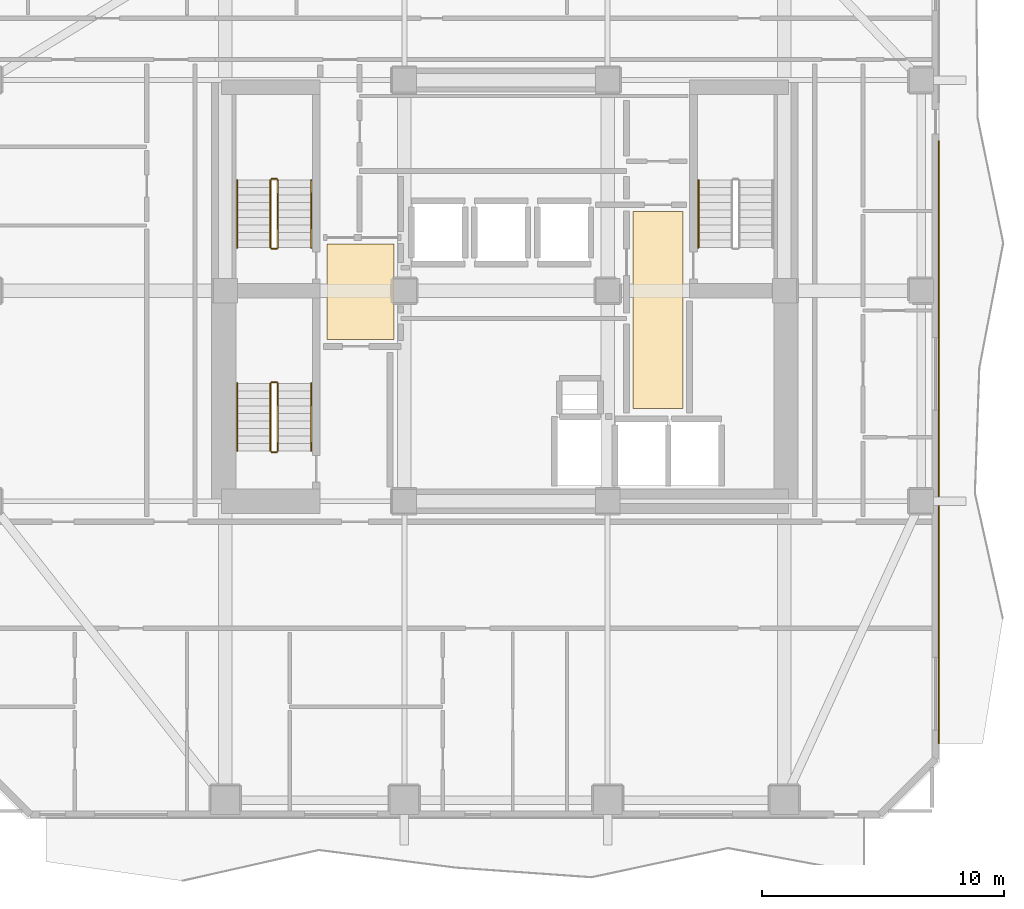
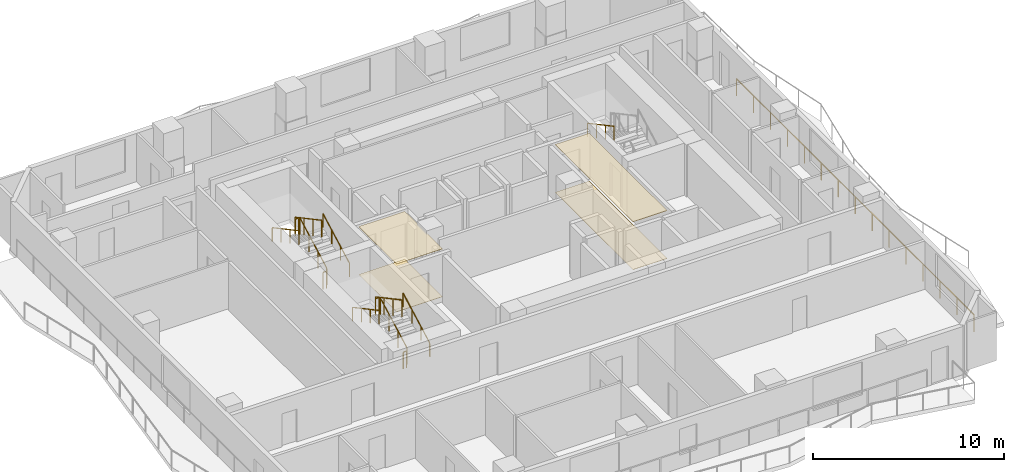
# One storey, part 8 of 10: 14 railings, 4 coverings.
"""IFC4 building model written with IfcOpenShell, lengths in metres."""

from ifc_helpers import new_model, si_unit, direction, frame, origin, origin_2d, place, context, subcontext, project, spatial, polyline, rectangle, outline, extrude, material, layer, layer_set, type_object, element, save


model = new_model("IFC4")

# Units and contexts
model_context = context("Model", 3, precision=1e-05, world=origin(), true_north=direction((0.0, 1.0)))
body_context = subcontext(model_context, "Body", "Model", "MODEL_VIEW")
ifc_project = project(units=[si_unit("LENGTHUNIT", "METRE"), si_unit("AREAUNIT", "SQUARE_METRE"), si_unit("VOLUMEUNIT", "CUBIC_METRE"), si_unit("PLANEANGLEUNIT", "RADIAN"), si_unit("MASSUNIT", "GRAM", prefix="KILO")], contexts=[model_context])

# Site, building, storey
site_placement = place(None, origin())
site = spatial("IfcSite", under=ifc_project, at=site_placement, CompositionType="ELEMENT")
building_placement = place(site_placement, origin())
building = spatial("IfcBuilding", under=site, at=building_placement, Name="Solanera Arch Residences", CompositionType="ELEMENT")
storey_placement = place(building_placement, frame((0.0, 0.0, 119.360107421875)))
storey = spatial("IfcBuildingStorey", under=building, at=storey_placement, Name="L34", CompositionType="ELEMENT", Elevation=119.360107421875)

# Railing
ifc_material_1 = material(Name="Steel S355 (ASTM A992 / A572 Grade 50)", Category="steel")
railing_type_1 = type_object("IfcRailingType", Name="Balustrade Railing BL-1100", PredefinedType="BALUSTRADE", material=ifc_material_1)
railing_1_placement = place(storey_placement, frame((42.8798828125, 36.8779296875, 0.0)))
element("IfcRailing", 1, at=railing_1_placement, inside=storey, type_object=railing_type_1, Name="L34 E Balcony Balustrade 2", PredefinedType="BALUSTRADE", context=body_context, shape_type="SweptSolid", body=[
    extrude(rectangle(XDim=0.048095703125, YDim=0.048095703125, at=origin_2d()), frame((0.0, 0.0, 1.09619140625), z_axis=(0.0, -1.0, 0.0), x_axis=(1.0, 0.0, 0.0)), (0.0, 0.0, 1.0), 24.8779296875),
    extrude(rectangle(XDim=0.0419921875, YDim=0.0419921875, at=origin_2d()), origin(), (0.0, 0.0, 1.0), 1.072021484375),
    extrude(rectangle(XDim=0.0419921875, YDim=0.0419921875, at=origin_2d()), frame((0.0, -1.777099609375, 0.0)), (0.0, 0.0, 1.0), 1.072021484375),
    extrude(rectangle(XDim=0.0419921875, YDim=0.0419921875, at=origin_2d()), frame((0.0, -3.553955078125, 0.0)), (0.0, 0.0, 1.0), 1.072021484375),
    extrude(rectangle(XDim=0.0419921875, YDim=0.0419921875, at=origin_2d()), frame((0.0, -5.3310546875, 0.0)), (0.0, 0.0, 1.0), 1.072021484375),
    extrude(rectangle(XDim=0.0419921875, YDim=0.0419921875, at=origin_2d()), frame((0.0, -7.10791015625, 0.0)), (0.0, 0.0, 1.0), 1.072021484375),
    extrude(rectangle(XDim=0.0419921875, YDim=0.0419921875, at=origin_2d()), frame((0.0, -8.885009765625, 0.0)), (0.0, 0.0, 1.0), 1.072021484375),
    extrude(rectangle(XDim=0.0419921875, YDim=0.0419921875, at=origin_2d()), frame((0.0, -10.661865234375, 0.0)), (0.0, 0.0, 1.0), 1.072021484375),
    extrude(rectangle(XDim=0.0419921875, YDim=0.0419921875, at=origin_2d()), frame((0.0, -12.43896484375, 0.0)), (0.0, 0.0, 1.0), 1.072021484375),
    extrude(rectangle(XDim=0.0419921875, YDim=0.0419921875, at=origin_2d()), frame((0.0, -14.216064453125, 0.0)), (0.0, 0.0, 1.0), 1.072021484375),
    extrude(rectangle(XDim=0.0419921875, YDim=0.0419921875, at=origin_2d()), frame((0.0, -15.992919921875, 0.0)), (0.0, 0.0, 1.0), 1.072021484375),
    extrude(rectangle(XDim=0.0419921875, YDim=0.0419921875, at=origin_2d()), frame((0.0, -17.77001953125, 0.0)), (0.0, 0.0, 1.0), 1.072021484375),
    extrude(rectangle(XDim=0.0419921875, YDim=0.0419921875, at=origin_2d()), frame((0.0, -19.546875, 0.0)), (0.0, 0.0, 1.0), 1.072021484375),
    extrude(rectangle(XDim=0.0419921875, YDim=0.0419921875, at=origin_2d()), frame((0.0, -21.323974609375, 0.0)), (0.0, 0.0, 1.0), 1.072021484375),
    extrude(rectangle(XDim=0.0419921875, YDim=0.0419921875, at=origin_2d()), frame((0.0, -23.100830078125, 0.0)), (0.0, 0.0, 1.0), 1.072021484375),
    extrude(rectangle(XDim=0.0419921875, YDim=0.0419921875, at=origin_2d()), frame((0.0, -24.8779296875, 0.0)), (0.0, 0.0, 1.0), 1.072021484375),
])

# Coverings
ifc_material_2 = material(Name="Porcelain Acoustic Floor Tile", Category="ceramic")
ifc_layer_1 = layer(ifc_material_2, 0.02001953125)
ifc_layer_set_1 = layer_set([ifc_layer_1], Name="Porcelain Acoustic Floor Tile")
covering_type_1 = type_object("IfcCoveringType", Name="Porcelain Acoustic Floor Finish FLR-20", PredefinedType="FLOORING", material=ifc_layer_set_1)
covering_1_placement = place(storey_placement, origin())
element("IfcCovering", 2, at=covering_1_placement, inside=storey, type_object=covering_type_1, Name="L34-FFL-W Porcelain Floor Finish", PredefinedType="FLOORING", context=body_context, shape_type="SweptSolid", body=[
    extrude(outline(polyline([(20.375, 28.675048828125), (17.594970703125, 28.675048828125), (17.594970703125, 32.625), (20.375, 32.625), (20.375, 28.675048828125)])), origin(), (0.0, 0.0, 1.0), 0.019775390625),
])
covering_2_placement = place(storey_placement, origin())
element("IfcCovering", 3, at=covering_2_placement, inside=storey, type_object=covering_type_1, Name="L34-FFL-E Porcelain Floor Finish", PredefinedType="FLOORING", context=body_context, shape_type="SweptSolid", body=[
    extrude(outline(polyline([(32.304931640625, 25.824951171875), (30.25, 25.824951171875), (30.25, 33.97509765625), (32.304931640625, 33.97509765625), (32.304931640625, 25.824951171875)])), origin(), (0.0, 0.0, 1.0), 0.019775390625),
])

# Railings
ifc_material_3 = material(Name="Steel S355 (ASTM A992 / A572 Grade 50)", Category="steel")
railing_type_2 = type_object("IfcRailingType", Name="Stair Guardrail GR-1100", PredefinedType="GUARDRAIL", material=ifc_material_3)
railing_2_placement = place(storey_placement, frame((15.570068359375, 32.47998046875, 0.15087890625)))
element("IfcRailing", 4, at=railing_2_placement, inside=storey, type_object=railing_type_2, Name="L34 ST-T1 stair guard 1", PredefinedType="GUARDRAIL", context=body_context, shape_type="SweptSolid", body=[
    extrude(rectangle(XDim=0.048095703125, YDim=0.048095703125, at=origin_2d()), frame((0.0, 0.0, 1.076171875), z_axis=(0.0, 0.881580869306, 0.472033018838), x_axis=(-1.0, 0.0, 0.0)), (0.0, 0.0, 1.0), 3.164794921875),
    extrude(rectangle(XDim=0.0419921875, YDim=0.0419921875, at=origin_2d()), origin(), (0.0, 0.0, 1.0), 1.052001953125),
    extrude(rectangle(XDim=0.0419921875, YDim=0.0419921875, at=origin_2d()), frame((0.0, 0.929931640625, 0.498046875)), (0.0, 0.0, 1.0), 1.052001953125),
    extrude(rectangle(XDim=0.0419921875, YDim=0.0419921875, at=origin_2d()), frame((0.0, 1.860107421875, 0.995849609375)), (0.0, 0.0, 1.0), 1.052001953125),
    extrude(rectangle(XDim=0.0419921875, YDim=0.0419921875, at=origin_2d()), frame((0.0, 2.7900390625, 1.493896484375)), (0.0, 0.0, 1.0), 1.052001953125),
])
railing_3_placement = place(storey_placement, frame((15.52001953125, 35.320068359375, 1.644775390625)))
element("IfcRailing", 5, at=railing_3_placement, inside=storey, type_object=railing_type_2, Name="L34 ST-T1 stair guard 2", PredefinedType="GUARDRAIL", context=body_context, shape_type="SweptSolid", body=[
    extrude(rectangle(XDim=0.048095703125, YDim=0.048095703125, at=origin_2d()), frame((0.0, 0.0, 1.076171875), z_axis=(-1.0, 0.0, 0.0), x_axis=(0.0, -1.0, 0.0)), (0.0, 0.0, 1.0), 0.199951171875),
    extrude(rectangle(XDim=0.0419921875, YDim=0.0419921875, at=origin_2d()), origin(), (0.0, 0.0, 1.0), 1.052001953125),
    extrude(rectangle(XDim=0.0419921875, YDim=0.0419921875, at=origin_2d()), frame((-0.199951171875, 0.0, 0.0)), (0.0, 0.0, 1.0), 1.052001953125),
])
railing_4_placement = place(storey_placement, frame((15.27001953125, 35.27001953125, 1.810791015625)))
element("IfcRailing", 6, at=railing_4_placement, inside=storey, type_object=railing_type_2, Name="L34 ST-T1 stair guard 3", PredefinedType="GUARDRAIL", context=body_context, shape_type="SweptSolid", body=[
    extrude(rectangle(XDim=0.048095703125, YDim=0.048095703125, at=origin_2d()), frame((0.0, 0.0, 1.076171875), z_axis=(0.0, -0.881548766853, 0.472092969298), x_axis=(1.0, 0.0, 0.0)), (0.0, 0.0, 1.0), 3.1650390625),
    extrude(rectangle(XDim=0.0419921875, YDim=0.0419921875, at=origin_2d()), origin(), (0.0, 0.0, 1.0), 1.052001953125),
    extrude(rectangle(XDim=0.0419921875, YDim=0.0419921875, at=origin_2d()), frame((0.0, -0.929931640625, 0.498046875)), (0.0, 0.0, 1.0), 1.052001953125),
    extrude(rectangle(XDim=0.0419921875, YDim=0.0419921875, at=origin_2d()), frame((0.0, -1.860107421875, 0.99609375)), (0.0, 0.0, 1.0), 1.052001953125),
    extrude(rectangle(XDim=0.0419921875, YDim=0.0419921875, at=origin_2d()), frame((0.0, -2.7900390625, 1.494140625)), (0.0, 0.0, 1.0), 1.052001953125),
])
railing_5_placement = place(storey_placement, frame((15.52001953125, 32.429931640625, -0.01513671875)))
element("IfcRailing", 7, at=railing_5_placement, inside=storey, type_object=railing_type_2, Name="L34 ST-T1 stair guard 4", PredefinedType="GUARDRAIL", context=body_context, shape_type="SweptSolid", body=[
    extrude(rectangle(XDim=0.048095703125, YDim=0.048095703125, at=origin_2d()), frame((0.0, 0.0, 1.076171875), z_axis=(-1.0, 0.0, 0.0), x_axis=(0.0, -1.0, 0.0)), (0.0, 0.0, 1.0), 0.199951171875),
    extrude(rectangle(XDim=0.0419921875, YDim=0.0419921875, at=origin_2d()), origin(), (0.0, 0.0, 1.0), 1.052001953125),
    extrude(rectangle(XDim=0.0419921875, YDim=0.0419921875, at=origin_2d()), frame((-0.199951171875, 0.0, 0.0)), (0.0, 0.0, 1.0), 1.052001953125),
])
railing_6_placement = place(storey_placement, frame((15.570068359375, 24.080078125, 0.15087890625)))
element("IfcRailing", 8, at=railing_6_placement, inside=storey, type_object=railing_type_2, Name="L34 ST-T3 stair guard 1", PredefinedType="GUARDRAIL", context=body_context, shape_type="SweptSolid", body=[
    extrude(rectangle(XDim=0.048095703125, YDim=0.048095703125, at=origin_2d()), frame((0.0, 0.0, 1.076171875), z_axis=(0.0, 0.881580869306, 0.472033018838), x_axis=(-1.0, 0.0, 0.0)), (0.0, 0.0, 1.0), 3.164794921875),
    extrude(rectangle(XDim=0.0419921875, YDim=0.0419921875, at=origin_2d()), origin(), (0.0, 0.0, 1.0), 1.052001953125),
    extrude(rectangle(XDim=0.0419921875, YDim=0.0419921875, at=origin_2d()), frame((0.0, 0.929931640625, 0.498046875)), (0.0, 0.0, 1.0), 1.052001953125),
    extrude(rectangle(XDim=0.0419921875, YDim=0.0419921875, at=origin_2d()), frame((0.0, 1.860107421875, 0.995849609375)), (0.0, 0.0, 1.0), 1.052001953125),
    extrude(rectangle(XDim=0.0419921875, YDim=0.0419921875, at=origin_2d()), frame((0.0, 2.7900390625, 1.493896484375)), (0.0, 0.0, 1.0), 1.052001953125),
])
railing_7_placement = place(storey_placement, frame((15.52001953125, 26.919921875, 1.644775390625)))
element("IfcRailing", 9, at=railing_7_placement, inside=storey, type_object=railing_type_2, Name="L34 ST-T3 stair guard 2", PredefinedType="GUARDRAIL", context=body_context, shape_type="SweptSolid", body=[
    extrude(rectangle(XDim=0.048095703125, YDim=0.048095703125, at=origin_2d()), frame((0.0, 0.0, 1.076171875), z_axis=(-1.0, 0.0, 0.0), x_axis=(0.0, -1.0, 0.0)), (0.0, 0.0, 1.0), 0.199951171875),
    extrude(rectangle(XDim=0.0419921875, YDim=0.0419921875, at=origin_2d()), origin(), (0.0, 0.0, 1.0), 1.052001953125),
    extrude(rectangle(XDim=0.0419921875, YDim=0.0419921875, at=origin_2d()), frame((-0.199951171875, 0.0, 0.0)), (0.0, 0.0, 1.0), 1.052001953125),
])
railing_8_placement = place(storey_placement, frame((15.27001953125, 26.8701171875, 1.810791015625)))
element("IfcRailing", 10, at=railing_8_placement, inside=storey, type_object=railing_type_2, Name="L34 ST-T3 stair guard 3", PredefinedType="GUARDRAIL", context=body_context, shape_type="SweptSolid", body=[
    extrude(rectangle(XDim=0.048095703125, YDim=0.048095703125, at=origin_2d()), frame((0.0, 0.0, 1.076171875), z_axis=(0.0, -0.881548766853, 0.472092969298), x_axis=(1.0, 0.0, 0.0)), (0.0, 0.0, 1.0), 3.1650390625),
    extrude(rectangle(XDim=0.0419921875, YDim=0.0419921875, at=origin_2d()), origin(), (0.0, 0.0, 1.0), 1.052001953125),
    extrude(rectangle(XDim=0.0419921875, YDim=0.0419921875, at=origin_2d()), frame((0.0, -0.929931640625, 0.498046875)), (0.0, 0.0, 1.0), 1.052001953125),
    extrude(rectangle(XDim=0.0419921875, YDim=0.0419921875, at=origin_2d()), frame((0.0, -1.860107421875, 0.99609375)), (0.0, 0.0, 1.0), 1.052001953125),
    extrude(rectangle(XDim=0.0419921875, YDim=0.0419921875, at=origin_2d()), frame((0.0, -2.7900390625, 1.494140625)), (0.0, 0.0, 1.0), 1.052001953125),
])
railing_9_placement = place(storey_placement, frame((15.52001953125, 24.030029296875, -0.01513671875)))
element("IfcRailing", 11, at=railing_9_placement, inside=storey, type_object=railing_type_2, Name="L34 ST-T3 stair guard 4", PredefinedType="GUARDRAIL", context=body_context, shape_type="SweptSolid", body=[
    extrude(rectangle(XDim=0.048095703125, YDim=0.048095703125, at=origin_2d()), frame((0.0, 0.0, 1.076171875), z_axis=(-1.0, 0.0, 0.0), x_axis=(0.0, -1.0, 0.0)), (0.0, 0.0, 1.0), 0.199951171875),
    extrude(rectangle(XDim=0.0419921875, YDim=0.0419921875, at=origin_2d()), origin(), (0.0, 0.0, 1.0), 1.052001953125),
    extrude(rectangle(XDim=0.0419921875, YDim=0.0419921875, at=origin_2d()), frame((-0.199951171875, 0.0, 0.0)), (0.0, 0.0, 1.0), 1.052001953125),
])
ifc_material_4 = material(Name="Steel S355 (ASTM A992 / A572 Grade 50)", Category="steel")
railing_type_3 = type_object("IfcRailingType", Name="Stair Wall Handrail HR-920", PredefinedType="HANDRAIL", material=ifc_material_4)
railing_10_placement = place(storey_placement, frame((16.949951171875, 32.47998046875, 0.165771484375)))
element("IfcRailing", 12, at=railing_10_placement, inside=storey, type_object=railing_type_3, Name="L34 ST-T1 stair handrail 1", PredefinedType="HANDRAIL", context=body_context, shape_type="SweptSolid", body=[
    extrude(rectangle(XDim=0.048095703125, YDim=0.048095703125, at=origin_2d()), frame((0.0, 0.0, 0.8759765625), z_axis=(0.0, 0.881548766853, 0.472092969298), x_axis=(-1.0, 0.0, 0.0)), (0.0, 0.0, 1.0), 3.1650390625),
    extrude(rectangle(XDim=0.0419921875, YDim=0.0419921875, at=origin_2d()), origin(), (0.0, 0.0, 1.0), 0.851806640625),
    extrude(rectangle(XDim=0.0419921875, YDim=0.0419921875, at=origin_2d()), frame((0.0, 0.929931640625, 0.498046875)), (0.0, 0.0, 1.0), 0.851806640625),
    extrude(rectangle(XDim=0.0419921875, YDim=0.0419921875, at=origin_2d()), frame((0.0, 1.860107421875, 0.99609375)), (0.0, 0.0, 1.0), 0.851806640625),
    extrude(rectangle(XDim=0.0419921875, YDim=0.0419921875, at=origin_2d()), frame((0.0, 2.7900390625, 1.494140625)), (0.0, 0.0, 1.0), 0.851806640625),
])
for number, where, name in (
    (13, (13.889892578125, 35.27001953125, 1.825927734375), "L34 ST-T1 stair handrail 2"),
    (14, (32.949951171875, 35.27001953125, 1.825927734375), "L34 ST-T2 stair handrail 2"),
):
    element("IfcRailing", number, at=place(storey_placement, frame(where)), inside=storey, type_object=railing_type_3, Name=name, PredefinedType="HANDRAIL", context=body_context, shape_type="SweptSolid", body=[
        extrude(rectangle(XDim=0.048095703125, YDim=0.048095703125, at=origin_2d()), frame((0.0, 0.0, 0.8759765625), z_axis=(0.0, -0.881580869306, 0.472033018838), x_axis=(1.0, 0.0, 0.0)), (0.0, 0.0, 1.0), 3.164794921875),
        extrude(rectangle(XDim=0.0419921875, YDim=0.0419921875, at=origin_2d()), origin(), (0.0, 0.0, 1.0), 0.851806640625),
        extrude(rectangle(XDim=0.0419921875, YDim=0.0419921875, at=origin_2d()), frame((0.0, -0.929931640625, 0.498046875)), (0.0, 0.0, 1.0), 0.851806640625),
        extrude(rectangle(XDim=0.0419921875, YDim=0.0419921875, at=origin_2d()), frame((0.0, -1.860107421875, 0.995849609375)), (0.0, 0.0, 1.0), 0.851806640625),
        extrude(rectangle(XDim=0.0419921875, YDim=0.0419921875, at=origin_2d()), frame((0.0, -2.7900390625, 1.493896484375)), (0.0, 0.0, 1.0), 0.851806640625),
    ])
railing_11_placement = place(storey_placement, frame((16.949951171875, 24.080078125, 0.165771484375)))
element("IfcRailing", 15, at=railing_11_placement, inside=storey, type_object=railing_type_3, Name="L34 ST-T3 stair handrail 1", PredefinedType="HANDRAIL", context=body_context, shape_type="SweptSolid", body=[
    extrude(rectangle(XDim=0.048095703125, YDim=0.048095703125, at=origin_2d()), frame((0.0, 0.0, 0.8759765625), z_axis=(0.0, 0.881548766853, 0.472092969298), x_axis=(-1.0, 0.0, 0.0)), (0.0, 0.0, 1.0), 3.1650390625),
    extrude(rectangle(XDim=0.0419921875, YDim=0.0419921875, at=origin_2d()), origin(), (0.0, 0.0, 1.0), 0.851806640625),
    extrude(rectangle(XDim=0.0419921875, YDim=0.0419921875, at=origin_2d()), frame((0.0, 0.929931640625, 0.498046875)), (0.0, 0.0, 1.0), 0.851806640625),
    extrude(rectangle(XDim=0.0419921875, YDim=0.0419921875, at=origin_2d()), frame((0.0, 1.860107421875, 0.99609375)), (0.0, 0.0, 1.0), 0.851806640625),
    extrude(rectangle(XDim=0.0419921875, YDim=0.0419921875, at=origin_2d()), frame((0.0, 2.7900390625, 1.494140625)), (0.0, 0.0, 1.0), 0.851806640625),
])
railing_12_placement = place(storey_placement, frame((13.889892578125, 26.8701171875, 1.825927734375)))
element("IfcRailing", 16, at=railing_12_placement, inside=storey, type_object=railing_type_3, Name="L34 ST-T3 stair handrail 2", PredefinedType="HANDRAIL", context=body_context, shape_type="SweptSolid", body=[
    extrude(rectangle(XDim=0.048095703125, YDim=0.048095703125, at=origin_2d()), frame((0.0, 0.0, 0.8759765625), z_axis=(0.0, -0.881580869306, 0.472033018838), x_axis=(1.0, 0.0, 0.0)), (0.0, 0.0, 1.0), 3.164794921875),
    extrude(rectangle(XDim=0.0419921875, YDim=0.0419921875, at=origin_2d()), origin(), (0.0, 0.0, 1.0), 0.851806640625),
    extrude(rectangle(XDim=0.0419921875, YDim=0.0419921875, at=origin_2d()), frame((0.0, -0.929931640625, 0.498046875)), (0.0, 0.0, 1.0), 0.851806640625),
    extrude(rectangle(XDim=0.0419921875, YDim=0.0419921875, at=origin_2d()), frame((0.0, -1.860107421875, 0.995849609375)), (0.0, 0.0, 1.0), 0.851806640625),
    extrude(rectangle(XDim=0.0419921875, YDim=0.0419921875, at=origin_2d()), frame((0.0, -2.7900390625, 1.493896484375)), (0.0, 0.0, 1.0), 0.851806640625),
])

# Coverings
ifc_material_5 = material(Name="Mineral Fibre Acoustic Ceiling Board", Category="gypsum")
ifc_layer_2 = layer(ifc_material_5, 0.02490234375)
ifc_layer_set_2 = layer_set([ifc_layer_2], Name="Mineral Fibre Acoustic Ceiling Board")
covering_type_2 = type_object("IfcCoveringType", Name="Suspended Acoustic Ceiling Board CLG-25", PredefinedType="CEILING", material=ifc_layer_set_2)
covering_3_placement = place(storey_placement, frame((0.0, 0.0, 3.054931640625)))
element("IfcCovering", 17, at=covering_3_placement, inside=storey, type_object=covering_type_2, Name="L34-FFL-W Acoustic Ceiling", PredefinedType="CEILING", context=body_context, shape_type="SweptSolid", body=[
    extrude(outline(polyline([(20.375, 28.675048828125), (17.594970703125, 28.675048828125), (17.594970703125, 32.625), (20.375, 32.625), (20.375, 28.675048828125)])), origin(), (0.0, 0.0, 1.0), 0.02490234375),
])
covering_4_placement = place(storey_placement, frame((0.0, 0.0, 3.054931640625)))
element("IfcCovering", 18, at=covering_4_placement, inside=storey, type_object=covering_type_2, Name="L34-FFL-E Acoustic Ceiling", PredefinedType="CEILING", context=body_context, shape_type="SweptSolid", body=[
    extrude(outline(polyline([(32.304931640625, 25.824951171875), (30.25, 25.824951171875), (30.25, 33.97509765625), (32.304931640625, 33.97509765625), (32.304931640625, 25.824951171875)])), origin(), (0.0, 0.0, 1.0), 0.02490234375),
])

save(model, "model.ifc")
